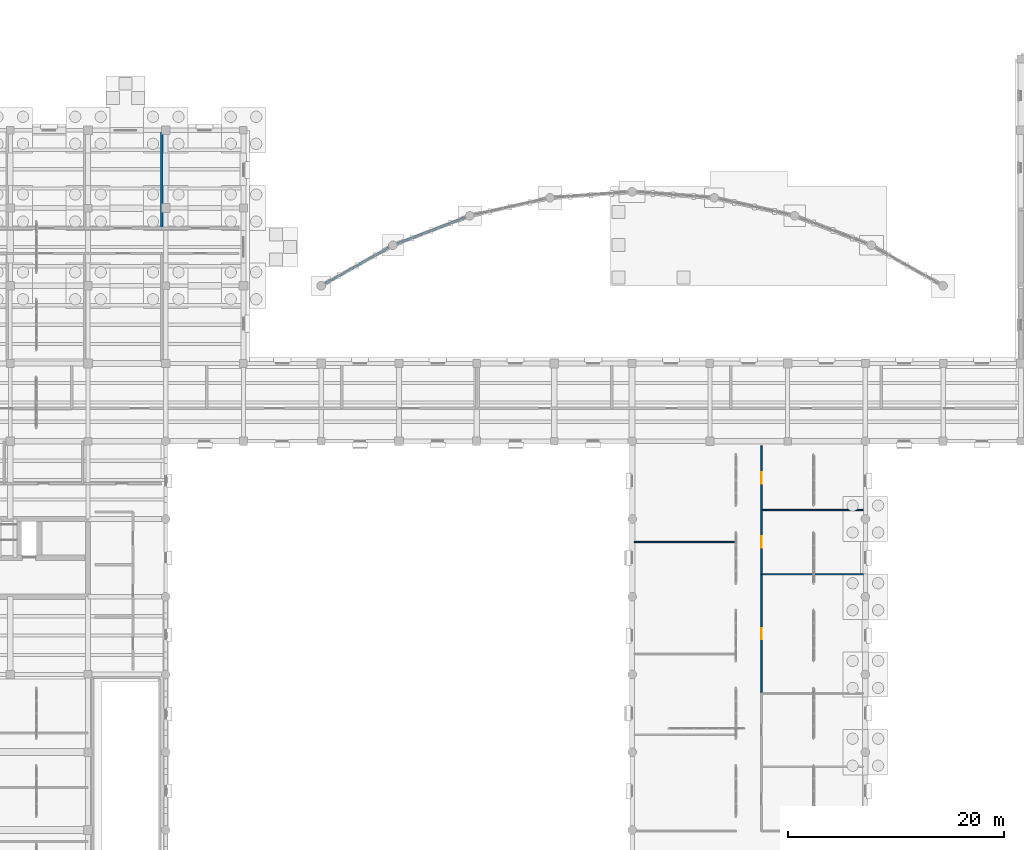
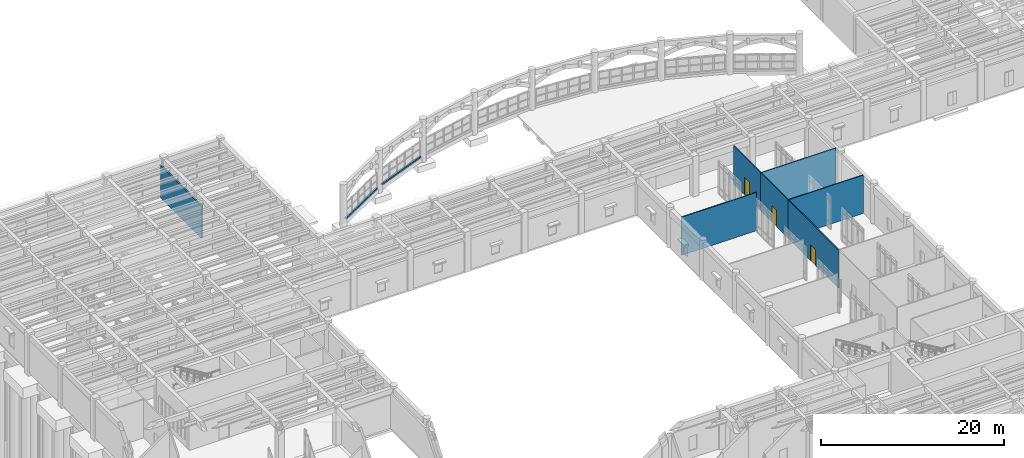
# One storey, part 77 of 100: 9 walls, 3 doors, 3 openings.
"""IFC4 building model written with IfcOpenShell, lengths in metres."""

from ifc_helpers import new_model, si_unit, direction, frame, frame_2d, origin, place, context, subcontext, project, spatial, rectangle, extrude, material, layer, layer_set, type_object, element, fill, save


model = new_model("IFC4")

# Units and contexts
model_context = context("Model", 3, precision=1e-05, world=origin(), true_north=direction((0.0, 1.0)))
body_context = subcontext(model_context, "Body", "Model", "MODEL_VIEW")
ifc_project = project(units=[si_unit("LENGTHUNIT", "METRE"), si_unit("AREAUNIT", "SQUARE_METRE"), si_unit("VOLUMEUNIT", "CUBIC_METRE"), si_unit("PLANEANGLEUNIT", "RADIAN"), si_unit("MASSUNIT", "GRAM", prefix="KILO")], contexts=[model_context])

# Site, building, storey
site_placement = place(None, origin())
site = spatial("IfcSite", under=ifc_project, at=site_placement, CompositionType="ELEMENT")
building_placement = place(site_placement, origin())
building = spatial("IfcBuilding", under=site, at=building_placement, Name="Mithqara Police Headquarters", CompositionType="ELEMENT")
storey_placement = place(building_placement, origin())
storey = spatial("IfcBuildingStorey", under=building, at=storey_placement, Name="L00", CompositionType="ELEMENT", Elevation=0.0)

# Walls
ifc_material_1 = material(Name="Limestone ashlar masonry, 45 MPa", Category="masonry")
ifc_layer_1 = layer(ifc_material_1, 0.219970703125, Name="Limestone ashlar masonry, 45 MPa")
ifc_layer_set_1 = layer_set([ifc_layer_1], Name="Limestone ashlar masonry, 45 MPa")
wall_type_1 = type_object("IfcWallType", Name="PARAPET WALL 220", PredefinedType="PARAPET", material=ifc_layer_set_1)
wall_1_placement = place(storey_placement, frame((44.191650390625, 93.220947265625, 0.31494140625), z_axis=(0.0, 0.0, 1.0), x_axis=(0.870975679155, 0.491326130305, 0.0)))
element("IfcWall", 1, at=wall_1_placement, inside=storey, type_object=wall_type_1, Name="L00 Forecourt Colonnade Sill Curb 1", PredefinedType="PARAPET", context=body_context, shape_type="SweptSolid", body=[
    extrude(rectangle(XDim=6.724609375, YDim=0.219970703125, at=frame_2d((3.3623046875, 0.0))), origin(), (0.0, 0.0, 1.0), 0.205078125),
])
wall_2_placement = place(storey_placement, frame((50.85986328125, 96.906982421875, 0.31494140625), z_axis=(0.0, 0.0, 1.0), x_axis=(0.93345784209, 0.358687129739, 0.0)))
element("IfcWall", 2, at=wall_2_placement, inside=storey, type_object=wall_type_1, Name="L00 Forecourt Colonnade Sill Curb 2", PredefinedType="PARAPET", context=body_context, shape_type="SweptSolid", body=[
    extrude(rectangle(XDim=6.724853515625, YDim=0.219970703125, at=frame_2d((3.3623046875, 0.0))), origin(), (0.0, 0.0, 1.0), 0.205078125),
])
ifc_material_2 = material(Name="Gypsum acoustic stud partition", Category="gypsum")
ifc_layer_2 = layer(ifc_material_2, 0.1201171875, Name="Gypsum acoustic stud partition")
ifc_layer_set_2 = layer_set([ifc_layer_2], Name="Gypsum acoustic stud partition")
wall_type_2 = type_object("IfcWallType", Name="PART WALL 120", PredefinedType="PARTITIONING", material=ifc_layer_set_2)
wall_3_placement = place(storey_placement, frame((72.780029296875, 69.260009765625, 0.0), z_axis=(0.0, 0.0, 1.0), x_axis=(1.0, 0.0, 0.0)))
element("IfcWall", 3, at=wall_3_placement, inside=storey, type_object=wall_type_2, Name="L00 Room Partition Public Waiting Concourse", PredefinedType="PARTITIONING", context=body_context, shape_type="SweptSolid", body=[
    extrude(rectangle(XDim=9.449951171875, YDim=0.1201171875, at=frame_2d((4.72509765625, 0.0))), origin(), (0.0, 0.0, 1.0), 5.1201171875),
])

# Wall, opening, door
wall_4_placement = place(storey_placement, frame((84.570068359375, 55.242919921875, 0.0), z_axis=(0.0, 0.0, 1.0), x_axis=(0.0, 1.0, 0.0)))
wall_4 = element("IfcWall", 4, at=wall_4_placement, inside=storey, type_object=wall_type_2, Name="L00 Corridor Wall Public Entrance Hall", PredefinedType="PARTITIONING", context=body_context, shape_type="SweptSolid", body=[
    extrude(rectangle(XDim=11.044189453125, YDim=0.1201171875, at=frame_2d((5.52197265625, 0.0))), origin(), (0.0, 0.0, 1.0), 5.1201171875),
])
opening_1_placement = place(wall_4_placement, frame((5.001953125, 0.0, 0.0)))
opening_1 = element("IfcOpeningElement", 5, at=opening_1_placement, cuts=wall_4, Name="Opening D-07", PredefinedType="OPENING", context=body_context, shape_type="SweptSolid", body=[
    extrude(rectangle(XDim=1.0400390625, YDim=2.10009765625, at=frame_2d((0.52001953125, 1.050048828125))), frame((0.0, 0.070068359375, 0.0), z_axis=(0.0, -1.0, 0.0), x_axis=(1.0, 0.0, 0.0)), (0.0, 0.0, 1.0), 0.14013671875),
])
ifc_material_3 = material(Name="Acoustic solid-core timber leaf", Category="wood")
door_type_1 = type_object("IfcDoorType", Name="INT DOOR 1040X2100", OperationType="NOTDEFINED", PredefinedType="DOOR", material=ifc_material_3)
door_1_placement = place(opening_1_placement, origin())
door_1 = element("IfcDoor", 6, at=door_1_placement, inside=storey, type_object=door_type_1, Name="Public Entrance Hall Entry Door", OperationType="SINGLE_SWING_RIGHT", OverallHeight=2.10009765625, OverallWidth=1.0400390625, PredefinedType="DOOR", context=body_context, shape_type="SweptSolid", body=[
    extrude(rectangle(XDim=1.0400390625, YDim=2.10009765625, at=frame_2d((0.52001953125, 1.050048828125))), frame((0.0, 0.02490234375, 0.0), z_axis=(0.0, -1.0, 0.0), x_axis=(1.0, 0.0, 0.0)), (0.0, 0.0, 1.0), 0.050048828125),
])
fill(opening_1, door_1)

# Wall
wall_5_placement = place(storey_placement, frame((84.570068359375, 66.287109375, 0.0), z_axis=(0.0, 0.0, 1.0), x_axis=(1.0, 0.0, 0.0)))
element("IfcWall", 7, at=wall_5_placement, inside=storey, type_object=wall_type_2, Name="L00 Room Partition Public Entrance Hall", PredefinedType="PARTITIONING", context=body_context, shape_type="SweptSolid", body=[
    extrude(rectangle(XDim=9.449951171875, YDim=0.1201171875, at=frame_2d((4.72509765625, 0.0))), origin(), (0.0, 0.0, 1.0), 5.1201171875),
])

# Wall, opening, door
wall_6_placement = place(storey_placement, frame((84.570068359375, 66.287109375, 0.0), z_axis=(0.0, 0.0, 1.0), x_axis=(0.0, 1.0, 0.0)))
wall_6 = element("IfcWall", 8, at=wall_6_placement, inside=storey, type_object=wall_type_2, Name="L00 Corridor Wall Front Counter", PredefinedType="PARTITIONING", context=body_context, shape_type="SweptSolid", body=[
    extrude(rectangle(XDim=5.94580078125, YDim=0.1201171875, at=frame_2d((2.972900390625, 0.0))), origin(), (0.0, 0.0, 1.0), 5.1201171875),
])
opening_2_placement = place(wall_6_placement, frame((2.452880859375, 0.0, 0.0)))
opening_2 = element("IfcOpeningElement", 9, at=opening_2_placement, cuts=wall_6, Name="Opening D-08", PredefinedType="OPENING", context=body_context, shape_type="SweptSolid", body=[
    extrude(rectangle(XDim=1.0400390625, YDim=2.219970703125, at=frame_2d((0.52001953125, 1.10986328125))), frame((0.0, 0.070068359375, 0.0), z_axis=(0.0, -1.0, 0.0), x_axis=(1.0, 0.0, 0.0)), (0.0, 0.0, 1.0), 0.14013671875),
])
door_type_2 = type_object("IfcDoorType", Name="INT DOOR 1040X2220", OperationType="NOTDEFINED", PredefinedType="DOOR", material=ifc_material_3)
door_2_placement = place(opening_2_placement, origin())
door_2 = element("IfcDoor", 10, at=door_2_placement, inside=storey, type_object=door_type_2, Name="Front Counter Entry Door", OperationType="SINGLE_SWING_LEFT", OverallHeight=2.219970703125, OverallWidth=1.0400390625, PredefinedType="DOOR", context=body_context, shape_type="SweptSolid", body=[
    extrude(rectangle(XDim=1.0400390625, YDim=2.219970703125, at=frame_2d((0.52001953125, 1.10986328125))), frame((0.0, 0.02490234375, 0.0), z_axis=(0.0, -1.0, 0.0), x_axis=(1.0, 0.0, 0.0)), (0.0, 0.0, 1.0), 0.050048828125),
])
fill(opening_2, door_2)

# Wall
wall_7_placement = place(storey_placement, frame((84.570068359375, 72.23291015625, 0.0), z_axis=(0.0, 0.0, 1.0), x_axis=(1.0, 0.0, 0.0)))
element("IfcWall", 11, at=wall_7_placement, inside=storey, type_object=wall_type_2, Name="L00 Room Partition Front Counter", PredefinedType="PARTITIONING", context=body_context, shape_type="SweptSolid", body=[
    extrude(rectangle(XDim=9.449951171875, YDim=0.1201171875, at=frame_2d((4.72509765625, 0.0))), origin(), (0.0, 0.0, 1.0), 5.1201171875),
])

# Wall, opening, door
wall_8_placement = place(storey_placement, frame((84.570068359375, 72.23291015625, 0.0), z_axis=(0.0, 0.0, 1.0), x_axis=(0.0, 1.0, 0.0)))
wall_8 = element("IfcWall", 12, at=wall_8_placement, inside=storey, type_object=wall_type_2, Name="L00 Corridor Wall Public Waiting Concourse", PredefinedType="PARTITIONING", context=body_context, shape_type="SweptSolid", body=[
    extrude(rectangle(XDim=5.947021484375, YDim=0.1201171875, at=frame_2d((2.9736328125, 0.0))), origin(), (0.0, 0.0, 1.0), 5.1201171875),
])
opening_3_placement = place(wall_8_placement, frame((2.45361328125, 0.0, 0.0)))
opening_3 = element("IfcOpeningElement", 13, at=opening_3_placement, cuts=wall_8, Name="Opening D-09", PredefinedType="OPENING", context=body_context, shape_type="SweptSolid", body=[
    extrude(rectangle(XDim=1.0400390625, YDim=2.35009765625, at=frame_2d((0.52001953125, 1.175048828125))), frame((0.0, 0.070068359375, 0.0), z_axis=(0.0, -1.0, 0.0), x_axis=(1.0, 0.0, 0.0)), (0.0, 0.0, 1.0), 0.14013671875),
])
door_type_3 = type_object("IfcDoorType", Name="INT DOOR 1040X2350", OperationType="NOTDEFINED", PredefinedType="DOOR", material=ifc_material_3)
door_3_placement = place(opening_3_placement, origin())
door_3 = element("IfcDoor", 14, at=door_3_placement, inside=storey, type_object=door_type_3, Name="Public Waiting Concourse Entry Door", OperationType="SINGLE_SWING_RIGHT", OverallHeight=2.35009765625, OverallWidth=1.0400390625, PredefinedType="DOOR", context=body_context, shape_type="SweptSolid", body=[
    extrude(rectangle(XDim=1.0400390625, YDim=2.35009765625, at=frame_2d((0.52001953125, 1.175048828125))), frame((0.0, 0.02490234375, 0.0), z_axis=(0.0, -1.0, 0.0), x_axis=(1.0, 0.0, 0.0)), (0.0, 0.0, 1.0), 0.050048828125),
])
fill(opening_3, door_3)

# Wall
ifc_material_4 = material(Name="Concrete C40/50", Category="concrete")
ifc_layer_3 = layer(ifc_material_4, 0.2099609375, Name="Concrete C40/50")
ifc_layer_set_3 = layer_set([ifc_layer_3], Name="Concrete C40/50")
wall_type_3 = type_object("IfcWallType", Name="PART WALL 210", PredefinedType="PARTITIONING", material=ifc_layer_set_3)
wall_9_placement = place(storey_placement, frame((29.028076171875, 98.320068359375, 0.0), z_axis=(0.0, 0.0, 1.0), x_axis=(0.0, 1.0, 0.0)))
element("IfcWall", 15, at=wall_9_placement, inside=storey, type_object=wall_type_3, Name="L00 Room Partition Public Licensing Hall", PredefinedType="PARTITIONING", context=body_context, shape_type="SweptSolid", body=[
    extrude(rectangle(XDim=8.89990234375, YDim=0.2099609375, at=frame_2d((4.449951171875, 0.0))), origin(), (0.0, 0.0, 1.0), 4.320068359375),
])

save(model, "model.ifc")
